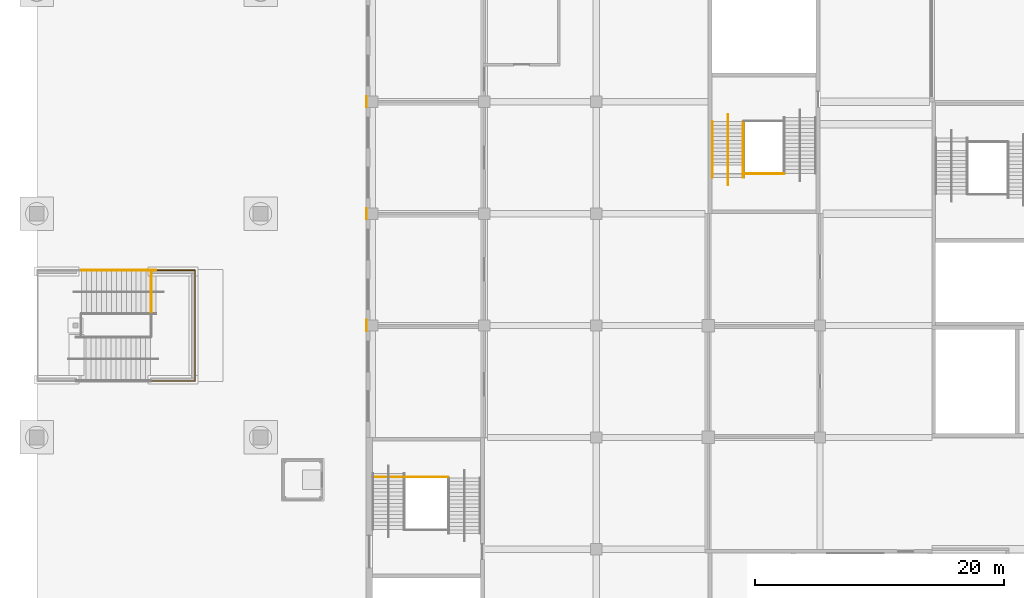
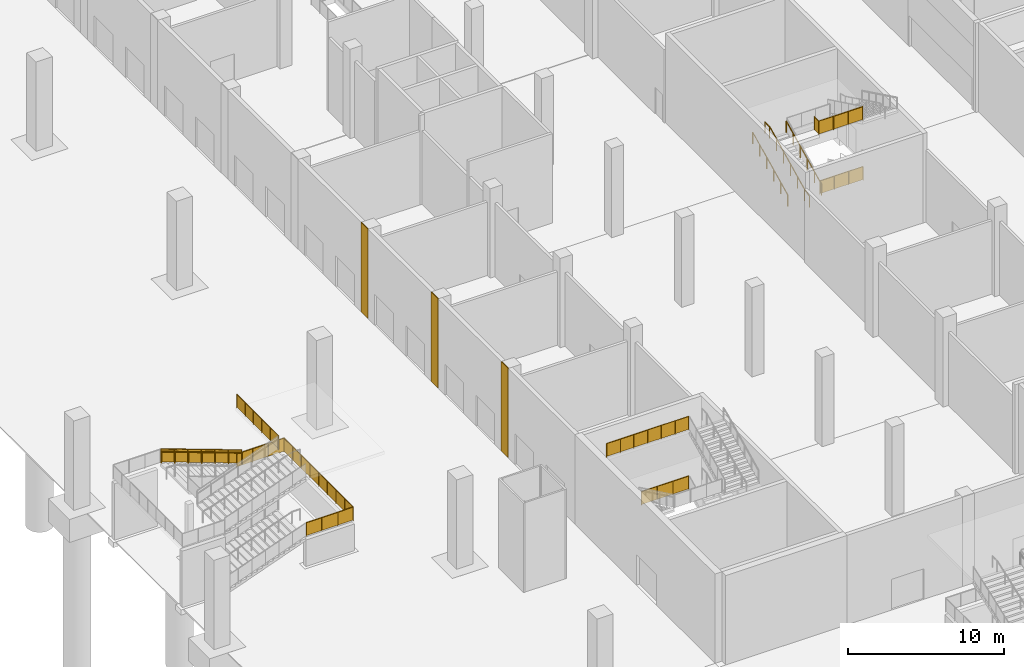
# One storey, part 55 of 92: 11 railings, 3 coverings.
"""IFC4 building model written with IfcOpenShell, lengths in metres."""

from ifc_helpers import new_model, si_unit, direction, frame, origin, origin_2d, place, context, subcontext, project, spatial, polyline, circle, outline, extrude, material, layer, layer_set, type_object, element, save


model = new_model("IFC4")

# Units and contexts
model_context = context("Model", 3, precision=1e-05, world=origin(), true_north=direction((0.0, 1.0)))
body_context = subcontext(model_context, "Body", "Model", "MODEL_VIEW")
ifc_project = project(units=[si_unit("LENGTHUNIT", "METRE"), si_unit("AREAUNIT", "SQUARE_METRE"), si_unit("VOLUMEUNIT", "CUBIC_METRE"), si_unit("PLANEANGLEUNIT", "RADIAN"), si_unit("MASSUNIT", "GRAM", prefix="KILO")], contexts=[model_context])

# Site, building, storey
site_placement = place(None, origin())
site = spatial("IfcSite", under=ifc_project, at=site_placement, CompositionType="ELEMENT")
building_placement = place(site_placement, origin())
building = spatial("IfcBuilding", under=site, at=building_placement, Name="Silverbay Arena", CompositionType="ELEMENT")
storey_placement = place(building_placement, origin())
storey = spatial("IfcBuildingStorey", under=building, at=storey_placement, Name="L00", CompositionType="ELEMENT", Elevation=0.0)

# Coverings
ifc_material_1 = material(Name="Aluminium composite cladding", Category="aluminium")
ifc_layer = layer(ifc_material_1, 0.050048828125)
ifc_layer_set = layer_set([ifc_layer], Name="Aluminium composite cladding")
covering_type = type_object("IfcCoveringType", Name="Column cladding 50", PredefinedType="CLADDING", material=ifc_layer_set)
covering_1_placement = place(storey_placement, origin())
element("IfcCovering", 1, at=covering_1_placement, inside=storey, type_object=covering_type, Name="West column cladding L00 29", PredefinedType="CLADDING", context=body_context, shape_type="SweptSolid", body=[
    extrude(outline(polyline([(26.5, 44.550048828125), (26.550048828125, 44.550048828125), (26.550048828125, 45.449951171875), (26.5, 45.449951171875), (26.5, 44.550048828125)])), origin(), (0.0, 0.0, 1.0), 7.0),
])
covering_2_placement = place(storey_placement, origin())
element("IfcCovering", 2, at=covering_2_placement, inside=storey, type_object=covering_type, Name="West column cladding L00 30", PredefinedType="CLADDING", context=body_context, shape_type="SweptSolid", body=[
    extrude(outline(polyline([(26.5, 53.550048828125), (26.550048828125, 53.550048828125), (26.550048828125, 54.449951171875), (26.5, 54.449951171875), (26.5, 53.550048828125)])), origin(), (0.0, 0.0, 1.0), 7.0),
])
covering_3_placement = place(storey_placement, origin())
element("IfcCovering", 3, at=covering_3_placement, inside=storey, type_object=covering_type, Name="West column cladding L00 31", PredefinedType="CLADDING", context=body_context, shape_type="SweptSolid", body=[
    extrude(outline(polyline([(26.5, 62.550048828125), (26.550048828125, 62.550048828125), (26.550048828125, 63.449951171875), (26.5, 63.449951171875), (26.5, 62.550048828125)])), origin(), (0.0, 0.0, 1.0), 7.0),
])

# Railings
ifc_material_2 = material(Name="Stainless steel", Category="steel")
railing_type_1 = type_object("IfcRailingType", Name="Stair guard 1100", PredefinedType="GUARDRAIL", material=ifc_material_2)
railing_1_placement = place(storey_placement, frame((60.10009765625, 57.193115234375, 2.333251953125)))
element("IfcRailing", 4, at=railing_1_placement, inside=storey, type_object=railing_type_1, Name="Stair ST-W1 L00 to L01 landing 1 guard", PredefinedType="GUARDRAIL", context=body_context, shape_type="SweptSolid", body=[
    extrude(circle(Radius=0.02392578125, at=origin_2d()), frame((0.0, 0.0, 1.076171875), z_axis=(-1.0, 0.0, 0.0), x_axis=(0.0, -1.0, 0.0)), (0.0, 0.0, 1.0), 3.2001953125),
    extrude(outline(polyline([(-0.008056640625, 0.050048828125), (1.07470703125, 0.050048828125), (1.07470703125, 1.052978515625), (-0.008056640625, 1.052978515625), (-0.008056640625, 0.050048828125)])), frame((0.0, -0.0029296875, 0.0), z_axis=(0.0, 1.0, 0.0), x_axis=(-1.0, 0.0, 0.0)), (0.0, 0.0, 1.0), 0.006103515625),
    extrude(outline(polyline([(-0.008056640625, 0.050048828125), (1.07470703125, 0.050048828125), (1.07470703125, 1.052978515625), (-0.008056640625, 1.052978515625), (-0.008056640625, 0.050048828125)])), frame((-1.066650390625, -0.0029296875, 0.0), z_axis=(0.0, 1.0, 0.0), x_axis=(-1.0, 0.0, 0.0)), (0.0, 0.0, 1.0), 0.006103515625),
    extrude(outline(polyline([(-0.008056640625, 0.050048828125), (1.07470703125, 0.050048828125), (1.07470703125, 1.052978515625), (-0.008056640625, 1.052978515625), (-0.008056640625, 0.050048828125)])), frame((-2.133544921875, -0.0029296875, 0.0), z_axis=(0.0, 1.0, 0.0), x_axis=(-1.0, 0.0, 0.0)), (0.0, 0.0, 1.0), 0.006103515625),
    extrude(circle(Radius=0.02099609375, at=origin_2d()), origin(), (0.0, 0.0, 1.0), 1.052001953125),
    extrude(circle(Radius=0.02099609375, at=origin_2d()), frame((-1.066650390625, 0.0, 0.0)), (0.0, 0.0, 1.0), 1.052001953125),
    extrude(circle(Radius=0.02099609375, at=origin_2d()), frame((-2.133544921875, 0.0, 0.0)), (0.0, 0.0, 1.0), 1.052001953125),
    extrude(circle(Radius=0.02099609375, at=origin_2d()), frame((-3.2001953125, 0.0, 0.0)), (0.0, 0.0, 1.0), 1.052001953125),
])
railing_2_placement = place(storey_placement, frame((56.85009765625, 57.85009765625, 7.0)))
element("IfcRailing", 5, at=railing_2_placement, inside=storey, type_object=railing_type_1, Name="Stair ST-W1 L00 to L01 landing 3 guard", PredefinedType="GUARDRAIL", context=body_context, shape_type="SweptSolid", body=[
    extrude(circle(Radius=0.02392578125, at=origin_2d()), frame((0.0, 0.0, 1.076171875), z_axis=(0.0, -1.0, 0.0), x_axis=(1.0, 0.0, 0.0)), (0.0, 0.0, 1.0), 0.60693359375),
    extrude(outline(polyline([(-0.008056640625, 0.050048828125), (0.614990234375, 0.050048828125), (0.614990234375, 1.052978515625), (-0.008056640625, 1.052978515625), (-0.008056640625, 0.050048828125)])), frame((0.0029296875, 0.0, 0.0), z_axis=(-1.0, 0.0, 0.0), x_axis=(0.0, -1.0, 0.0)), (0.0, 0.0, 1.0), 0.006103515625),
    extrude(circle(Radius=0.02392578125, at=origin_2d()), frame((0.0, -0.60693359375, 1.076171875), z_axis=(1.0, 0.0, 0.0), x_axis=(0.0, 1.0, 0.0)), (0.0, 0.0, 1.0), 3.25),
    extrude(outline(polyline([(-0.008056640625, 0.050048828125), (1.09130859375, 0.050048828125), (1.09130859375, 1.052978515625), (-0.008056640625, 1.052978515625), (-0.008056640625, 0.050048828125)])), frame((0.0, -0.60400390625, 0.0), z_axis=(0.0, -1.0, 0.0), x_axis=(1.0, 0.0, 0.0)), (0.0, 0.0, 1.0), 0.006103515625),
    extrude(outline(polyline([(-0.008056640625, 0.050048828125), (1.09130859375, 0.050048828125), (1.09130859375, 1.052978515625), (-0.008056640625, 1.052978515625), (-0.008056640625, 0.050048828125)])), frame((1.083251953125, -0.60400390625, 0.0), z_axis=(0.0, -1.0, 0.0), x_axis=(1.0, 0.0, 0.0)), (0.0, 0.0, 1.0), 0.006103515625),
    extrude(outline(polyline([(-0.008056640625, 0.050048828125), (1.09130859375, 0.050048828125), (1.09130859375, 1.052978515625), (-0.008056640625, 1.052978515625), (-0.008056640625, 0.050048828125)])), frame((2.166748046875, -0.60400390625, 0.0), z_axis=(0.0, -1.0, 0.0), x_axis=(1.0, 0.0, 0.0)), (0.0, 0.0, 1.0), 0.006103515625),
    extrude(circle(Radius=0.02099609375, at=origin_2d()), origin(), (0.0, 0.0, 1.0), 1.052001953125),
    extrude(circle(Radius=0.02099609375, at=origin_2d()), frame((0.0, -0.60693359375, 0.0)), (0.0, 0.0, 1.0), 1.052001953125),
    extrude(circle(Radius=0.02099609375, at=origin_2d()), frame((1.083251953125, -0.60693359375, 0.0)), (0.0, 0.0, 1.0), 1.052001953125),
    extrude(circle(Radius=0.02099609375, at=origin_2d()), frame((2.166748046875, -0.60693359375, 0.0)), (0.0, 0.0, 1.0), 1.052001953125),
    extrude(circle(Radius=0.02099609375, at=origin_2d()), frame((3.25, -0.60693359375, 0.0)), (0.0, 0.0, 1.0), 1.052001953125),
])
railing_3_placement = place(storey_placement, frame((33.10009765625, 32.806884765625, 2.333251953125)))
element("IfcRailing", 6, at=railing_3_placement, inside=storey, type_object=railing_type_1, Name="Stair ST-WG1 L00 to L01 landing 1 guard", PredefinedType="GUARDRAIL", context=body_context, shape_type="SweptSolid", body=[
    extrude(circle(Radius=0.02392578125, at=origin_2d()), frame((0.0, 0.0, 1.076171875), z_axis=(-1.0, 0.0, 0.0), x_axis=(0.0, -1.0, 0.0)), (0.0, 0.0, 1.0), 3.5),
    extrude(outline(polyline([(-0.008056640625, 0.050048828125), (1.174560546875, 0.050048828125), (1.174560546875, 1.052978515625), (-0.008056640625, 1.052978515625), (-0.008056640625, 0.050048828125)])), frame((0.0, -0.0029296875, 0.0), z_axis=(0.0, 1.0, 0.0), x_axis=(-1.0, 0.0, 0.0)), (0.0, 0.0, 1.0), 0.006103515625),
    extrude(outline(polyline([(-0.008056640625, 0.050048828125), (1.174560546875, 0.050048828125), (1.174560546875, 1.052978515625), (-0.008056640625, 1.052978515625), (-0.008056640625, 0.050048828125)])), frame((-1.166748046875, -0.0029296875, 0.0), z_axis=(0.0, 1.0, 0.0), x_axis=(-1.0, 0.0, 0.0)), (0.0, 0.0, 1.0), 0.006103515625),
    extrude(outline(polyline([(-0.008056640625, 0.050048828125), (1.174560546875, 0.050048828125), (1.174560546875, 1.052978515625), (-0.008056640625, 1.052978515625), (-0.008056640625, 0.050048828125)])), frame((-2.333251953125, -0.0029296875, 0.0), z_axis=(0.0, 1.0, 0.0), x_axis=(-1.0, 0.0, 0.0)), (0.0, 0.0, 1.0), 0.006103515625),
    extrude(circle(Radius=0.02099609375, at=origin_2d()), origin(), (0.0, 0.0, 1.0), 1.052001953125),
    extrude(circle(Radius=0.02099609375, at=origin_2d()), frame((-1.166748046875, 0.0, 0.0)), (0.0, 0.0, 1.0), 1.052001953125),
    extrude(circle(Radius=0.02099609375, at=origin_2d()), frame((-2.333251953125, 0.0, 0.0)), (0.0, 0.0, 1.0), 1.052001953125),
    extrude(circle(Radius=0.02099609375, at=origin_2d()), frame((-3.5, 0.0, 0.0)), (0.0, 0.0, 1.0), 1.052001953125),
])
railing_4_placement = place(storey_placement, frame((33.10009765625, 32.806884765625, 7.0)))
element("IfcRailing", 7, at=railing_4_placement, inside=storey, type_object=railing_type_1, Name="Stair ST-WG1 L00 to L01 landing 3 guard", PredefinedType="GUARDRAIL", context=body_context, shape_type="SweptSolid", body=[
    extrude(circle(Radius=0.02392578125, at=origin_2d()), frame((0.0, 0.0, 1.076171875), z_axis=(-1.0, 0.0, 0.0), x_axis=(0.0, -1.0, 0.0)), (0.0, 0.0, 1.0), 6.10009765625),
    extrude(outline(polyline([(-0.008056640625, 0.050048828125), (1.024658203125, 0.050048828125), (1.024658203125, 1.052978515625), (-0.008056640625, 1.052978515625), (-0.008056640625, 0.050048828125)])), frame((0.0, -0.0029296875, 0.0), z_axis=(0.0, 1.0, 0.0), x_axis=(-1.0, 0.0, 0.0)), (0.0, 0.0, 1.0), 0.006103515625),
    extrude(outline(polyline([(-0.008056640625, 0.050048828125), (1.024658203125, 0.050048828125), (1.024658203125, 1.052978515625), (-0.008056640625, 1.052978515625), (-0.008056640625, 0.050048828125)])), frame((-1.0166015625, -0.0029296875, 0.0), z_axis=(0.0, 1.0, 0.0), x_axis=(-1.0, 0.0, 0.0)), (0.0, 0.0, 1.0), 0.006103515625),
    extrude(outline(polyline([(-0.008056640625, 0.050048828125), (1.024658203125, 0.050048828125), (1.024658203125, 1.052978515625), (-0.008056640625, 1.052978515625), (-0.008056640625, 0.050048828125)])), frame((-2.033447265625, -0.0029296875, 0.0), z_axis=(0.0, 1.0, 0.0), x_axis=(-1.0, 0.0, 0.0)), (0.0, 0.0, 1.0), 0.006103515625),
    extrude(outline(polyline([(-0.008056640625, 0.050048828125), (1.024658203125, 0.050048828125), (1.024658203125, 1.052978515625), (-0.008056640625, 1.052978515625), (-0.008056640625, 0.050048828125)])), frame((-3.050048828125, -0.0029296875, 0.0), z_axis=(0.0, 1.0, 0.0), x_axis=(-1.0, 0.0, 0.0)), (0.0, 0.0, 1.0), 0.006103515625),
    extrude(outline(polyline([(-0.008056640625, 0.050048828125), (1.024658203125, 0.050048828125), (1.024658203125, 1.052978515625), (-0.008056640625, 1.052978515625), (-0.008056640625, 0.050048828125)])), frame((-4.066650390625, -0.0029296875, 0.0), z_axis=(0.0, 1.0, 0.0), x_axis=(-1.0, 0.0, 0.0)), (0.0, 0.0, 1.0), 0.006103515625),
    extrude(outline(polyline([(-0.008056640625, 0.050048828125), (1.024658203125, 0.050048828125), (1.024658203125, 1.052978515625), (-0.008056640625, 1.052978515625), (-0.008056640625, 0.050048828125)])), frame((-5.08349609375, -0.0029296875, 0.0), z_axis=(0.0, 1.0, 0.0), x_axis=(-1.0, 0.0, 0.0)), (0.0, 0.0, 1.0), 0.006103515625),
    extrude(circle(Radius=0.02099609375, at=origin_2d()), origin(), (0.0, 0.0, 1.0), 1.052001953125),
    extrude(circle(Radius=0.02099609375, at=origin_2d()), frame((-1.0166015625, 0.0, 0.0)), (0.0, 0.0, 1.0), 1.052001953125),
    extrude(circle(Radius=0.02099609375, at=origin_2d()), frame((-2.033447265625, 0.0, 0.0)), (0.0, 0.0, 1.0), 1.052001953125),
    extrude(circle(Radius=0.02099609375, at=origin_2d()), frame((-3.050048828125, 0.0, 0.0)), (0.0, 0.0, 1.0), 1.052001953125),
    extrude(circle(Radius=0.02099609375, at=origin_2d()), frame((-4.066650390625, 0.0, 0.0)), (0.0, 0.0, 1.0), 1.052001953125),
    extrude(circle(Radius=0.02099609375, at=origin_2d()), frame((-5.08349609375, 0.0, 0.0)), (0.0, 0.0, 1.0), 1.052001953125),
    extrude(circle(Radius=0.02099609375, at=origin_2d()), frame((-6.10009765625, 0.0, 0.0)), (0.0, 0.0, 1.0), 1.052001953125),
])
railing_5_placement = place(storey_placement, frame((9.60009765625, 49.47509765625, 2.479248046875)))
element("IfcRailing", 8, at=railing_5_placement, inside=storey, type_object=railing_type_1, Name="Deck stair DS1 flight 2 guard right", PredefinedType="GUARDRAIL", context=body_context, shape_type="SweptSolid", body=[
    extrude(circle(Radius=0.02392578125, at=origin_2d()), frame((0.0, 0.0, 1.076171875), z_axis=(-0.939507356738, 0.0, 0.342528723811), x_axis=(0.0, -1.0, 0.0)), (0.0, 0.0, 1.0), 6.38623046875),
    extrude(outline(polyline([(-0.008056640625, 0.047119140625), (1.008056640625, 0.41748046875), (1.008056640625, 1.42041015625), (-0.008056640625, 1.050048828125), (-0.008056640625, 0.047119140625)])), frame((0.0, -0.0029296875, 0.0), z_axis=(0.0, 1.0, 0.0), x_axis=(-1.0, 0.0, 0.0)), (0.0, 0.0, 1.0), 0.006103515625),
    extrude(outline(polyline([(-0.008056640625, 0.41162109375), (1.008056640625, 0.781982421875), (1.008056640625, 1.78515625), (-0.008056640625, 1.41455078125), (-0.008056640625, 0.41162109375)])), frame((-1.0, -0.0029296875, 0.0), z_axis=(0.0, 1.0, 0.0), x_axis=(-1.0, 0.0, 0.0)), (0.0, 0.0, 1.0), 0.006103515625),
    extrude(outline(polyline([(-0.008056640625, 0.7763671875), (1.008056640625, 1.146728515625), (1.008056640625, 2.149658203125), (-0.008056640625, 1.779296875), (-0.008056640625, 0.7763671875)])), frame((-2.0, -0.0029296875, 0.0), z_axis=(0.0, 1.0, 0.0), x_axis=(-1.0, 0.0, 0.0)), (0.0, 0.0, 1.0), 0.006103515625),
    extrude(outline(polyline([(-0.008056640625, 1.140869140625), (1.008056640625, 1.51123046875), (1.008056640625, 2.51416015625), (-0.008056640625, 2.143798828125), (-0.008056640625, 1.140869140625)])), frame((-3.0, -0.0029296875, 0.0), z_axis=(0.0, 1.0, 0.0), x_axis=(-1.0, 0.0, 0.0)), (0.0, 0.0, 1.0), 0.006103515625),
    extrude(outline(polyline([(-0.008056640625, 1.50537109375), (1.008056640625, 1.875732421875), (1.008056640625, 2.87890625), (-0.008056640625, 2.50830078125), (-0.008056640625, 1.50537109375)])), frame((-4.0, -0.0029296875, 0.0), z_axis=(0.0, 1.0, 0.0), x_axis=(-1.0, 0.0, 0.0)), (0.0, 0.0, 1.0), 0.006103515625),
    extrude(outline(polyline([(-0.008056640625, 1.8701171875), (1.008056640625, 2.240478515625), (1.008056640625, 3.243408203125), (-0.008056640625, 2.873046875), (-0.008056640625, 1.8701171875)])), frame((-5.0, -0.0029296875, 0.0), z_axis=(0.0, 1.0, 0.0), x_axis=(-1.0, 0.0, 0.0)), (0.0, 0.0, 1.0), 0.006103515625),
    extrude(circle(Radius=0.02099609375, at=origin_2d()), origin(), (0.0, 0.0, 1.0), 1.052001953125),
    extrude(circle(Radius=0.02099609375, at=origin_2d()), frame((-1.0, 0.0, 0.364501953125)), (0.0, 0.0, 1.0), 1.052001953125),
    extrude(circle(Radius=0.02099609375, at=origin_2d()), frame((-2.0, 0.0, 0.729248046875)), (0.0, 0.0, 1.0), 1.052001953125),
    extrude(circle(Radius=0.02099609375, at=origin_2d()), frame((-3.0, 0.0, 1.09375)), (0.0, 0.0, 1.0), 1.052001953125),
    extrude(circle(Radius=0.02099609375, at=origin_2d()), frame((-4.0, 0.0, 1.458251953125)), (0.0, 0.0, 1.0), 1.052001953125),
    extrude(circle(Radius=0.02099609375, at=origin_2d()), frame((-5.0, 0.0, 1.822998046875)), (0.0, 0.0, 1.0), 1.052001953125),
    extrude(circle(Radius=0.02099609375, at=origin_2d()), frame((-6.0, 0.0, 2.1875)), (0.0, 0.0, 1.0), 1.052001953125),
])
railing_6_placement = place(storey_placement, frame((9.212158203125, 40.550048828125, 2.333251953125)))
element("IfcRailing", 9, at=railing_6_placement, inside=storey, type_object=railing_type_1, Name="Deck stair DS1 landing 1 guard", PredefinedType="GUARDRAIL", context=body_context, shape_type="SweptSolid", body=[
    extrude(circle(Radius=0.02392578125, at=origin_2d()), frame((0.0, 0.0, 1.076171875), z_axis=(1.0, 0.0, 0.0), x_axis=(0.0, 1.0, 0.0)), (0.0, 0.0, 1.0), 3.5),
    extrude(outline(polyline([(-0.008056640625, 0.050048828125), (1.174560546875, 0.050048828125), (1.174560546875, 1.052978515625), (-0.008056640625, 1.052978515625), (-0.008056640625, 0.050048828125)])), frame((0.0, 0.0029296875, 0.0), z_axis=(0.0, -1.0, 0.0), x_axis=(1.0, 0.0, 0.0)), (0.0, 0.0, 1.0), 0.006103515625),
    extrude(outline(polyline([(-0.008056640625, 0.050048828125), (1.174560546875, 0.050048828125), (1.174560546875, 1.052978515625), (-0.008056640625, 1.052978515625), (-0.008056640625, 0.050048828125)])), frame((1.166748046875, 0.0029296875, 0.0), z_axis=(0.0, -1.0, 0.0), x_axis=(1.0, 0.0, 0.0)), (0.0, 0.0, 1.0), 0.006103515625),
    extrude(outline(polyline([(-0.008056640625, 0.050048828125), (1.174560546875, 0.050048828125), (1.174560546875, 1.052978515625), (-0.008056640625, 1.052978515625), (-0.008056640625, 0.050048828125)])), frame((2.333251953125, 0.0029296875, 0.0), z_axis=(0.0, -1.0, 0.0), x_axis=(1.0, 0.0, 0.0)), (0.0, 0.0, 1.0), 0.006103515625),
    extrude(circle(Radius=0.02392578125, at=origin_2d()), frame((3.5, 0.0, 1.076171875), z_axis=(0.0, 1.0, 0.0), x_axis=(-1.0, 0.0, 0.0)), (0.0, 0.0, 1.0), 8.89990234375),
    extrude(outline(polyline([(-0.008056640625, 0.050048828125), (1.12060546875, 0.050048828125), (1.12060546875, 1.052978515625), (-0.008056640625, 1.052978515625), (-0.008056640625, 0.050048828125)])), frame((3.4970703125, 0.0, 0.0), z_axis=(1.0, 0.0, 0.0), x_axis=(0.0, 1.0, 0.0)), (0.0, 0.0, 1.0), 0.006103515625),
    extrude(outline(polyline([(-0.008056640625, 0.050048828125), (1.12060546875, 0.050048828125), (1.12060546875, 1.052978515625), (-0.008056640625, 1.052978515625), (-0.008056640625, 0.050048828125)])), frame((3.4970703125, 1.112548828125, 0.0), z_axis=(1.0, 0.0, 0.0), x_axis=(0.0, 1.0, 0.0)), (0.0, 0.0, 1.0), 0.006103515625),
    extrude(outline(polyline([(-0.008056640625, 0.050048828125), (1.12060546875, 0.050048828125), (1.12060546875, 1.052978515625), (-0.008056640625, 1.052978515625), (-0.008056640625, 0.050048828125)])), frame((3.4970703125, 2.22509765625, 0.0), z_axis=(1.0, 0.0, 0.0), x_axis=(0.0, 1.0, 0.0)), (0.0, 0.0, 1.0), 0.006103515625),
    extrude(outline(polyline([(-0.008056640625, 0.050048828125), (1.12060546875, 0.050048828125), (1.12060546875, 1.052978515625), (-0.008056640625, 1.052978515625), (-0.008056640625, 0.050048828125)])), frame((3.4970703125, 3.33740234375, 0.0), z_axis=(1.0, 0.0, 0.0), x_axis=(0.0, 1.0, 0.0)), (0.0, 0.0, 1.0), 0.006103515625),
    extrude(outline(polyline([(-0.008056640625, 0.050048828125), (1.12060546875, 0.050048828125), (1.12060546875, 1.052978515625), (-0.008056640625, 1.052978515625), (-0.008056640625, 0.050048828125)])), frame((3.4970703125, 4.449951171875, 0.0), z_axis=(1.0, 0.0, 0.0), x_axis=(0.0, 1.0, 0.0)), (0.0, 0.0, 1.0), 0.006103515625),
    extrude(outline(polyline([(-0.008056640625, 0.050048828125), (1.12060546875, 0.050048828125), (1.12060546875, 1.052978515625), (-0.008056640625, 1.052978515625), (-0.008056640625, 0.050048828125)])), frame((3.4970703125, 5.5625, 0.0), z_axis=(1.0, 0.0, 0.0), x_axis=(0.0, 1.0, 0.0)), (0.0, 0.0, 1.0), 0.006103515625),
    extrude(outline(polyline([(-0.008056640625, 0.050048828125), (1.12060546875, 0.050048828125), (1.12060546875, 1.052978515625), (-0.008056640625, 1.052978515625), (-0.008056640625, 0.050048828125)])), frame((3.4970703125, 6.6748046875, 0.0), z_axis=(1.0, 0.0, 0.0), x_axis=(0.0, 1.0, 0.0)), (0.0, 0.0, 1.0), 0.006103515625),
    extrude(outline(polyline([(-0.008056640625, 0.050048828125), (1.12060546875, 0.050048828125), (1.12060546875, 1.052978515625), (-0.008056640625, 1.052978515625), (-0.008056640625, 0.050048828125)])), frame((3.4970703125, 7.787353515625, 0.0), z_axis=(1.0, 0.0, 0.0), x_axis=(0.0, 1.0, 0.0)), (0.0, 0.0, 1.0), 0.006103515625),
    extrude(circle(Radius=0.02392578125, at=origin_2d()), frame((3.5, 8.89990234375, 1.076171875), z_axis=(-1.0, 0.0, 0.0), x_axis=(0.0, -1.0, 0.0)), (0.0, 0.0, 1.0), 3.5),
    extrude(outline(polyline([(-0.008056640625, 0.050048828125), (1.174560546875, 0.050048828125), (1.174560546875, 1.052978515625), (-0.008056640625, 1.052978515625), (-0.008056640625, 0.050048828125)])), frame((3.5, 8.89697265625, 0.0), z_axis=(0.0, 1.0, 0.0), x_axis=(-1.0, 0.0, 0.0)), (0.0, 0.0, 1.0), 0.006103515625),
    extrude(outline(polyline([(-0.008056640625, 0.050048828125), (1.174560546875, 0.050048828125), (1.174560546875, 1.052978515625), (-0.008056640625, 1.052978515625), (-0.008056640625, 0.050048828125)])), frame((2.333251953125, 8.89697265625, 0.0), z_axis=(0.0, 1.0, 0.0), x_axis=(-1.0, 0.0, 0.0)), (0.0, 0.0, 1.0), 0.006103515625),
    extrude(outline(polyline([(-0.008056640625, 0.050048828125), (1.174560546875, 0.050048828125), (1.174560546875, 1.052978515625), (-0.008056640625, 1.052978515625), (-0.008056640625, 0.050048828125)])), frame((1.166748046875, 8.89697265625, 0.0), z_axis=(0.0, 1.0, 0.0), x_axis=(-1.0, 0.0, 0.0)), (0.0, 0.0, 1.0), 0.006103515625),
    extrude(circle(Radius=0.02099609375, at=origin_2d()), origin(), (0.0, 0.0, 1.0), 1.052001953125),
    extrude(circle(Radius=0.02099609375, at=origin_2d()), frame((1.166748046875, 0.0, 0.0)), (0.0, 0.0, 1.0), 1.052001953125),
    extrude(circle(Radius=0.02099609375, at=origin_2d()), frame((2.333251953125, 0.0, 0.0)), (0.0, 0.0, 1.0), 1.052001953125),
    extrude(circle(Radius=0.02099609375, at=origin_2d()), frame((3.5, 0.0, 0.0)), (0.0, 0.0, 1.0), 1.052001953125),
    extrude(circle(Radius=0.02099609375, at=origin_2d()), frame((3.5, 1.112548828125, 0.0)), (0.0, 0.0, 1.0), 1.052001953125),
    extrude(circle(Radius=0.02099609375, at=origin_2d()), frame((3.5, 2.22509765625, 0.0)), (0.0, 0.0, 1.0), 1.052001953125),
    extrude(circle(Radius=0.02099609375, at=origin_2d()), frame((3.5, 3.33740234375, 0.0)), (0.0, 0.0, 1.0), 1.052001953125),
    extrude(circle(Radius=0.02099609375, at=origin_2d()), frame((3.5, 4.449951171875, 0.0)), (0.0, 0.0, 1.0), 1.052001953125),
    extrude(circle(Radius=0.02099609375, at=origin_2d()), frame((3.5, 5.5625, 0.0)), (0.0, 0.0, 1.0), 1.052001953125),
    extrude(circle(Radius=0.02099609375, at=origin_2d()), frame((3.5, 6.6748046875, 0.0)), (0.0, 0.0, 1.0), 1.052001953125),
    extrude(circle(Radius=0.02099609375, at=origin_2d()), frame((3.5, 7.787353515625, 0.0)), (0.0, 0.0, 1.0), 1.052001953125),
    extrude(circle(Radius=0.02099609375, at=origin_2d()), frame((3.5, 8.89990234375, 0.0)), (0.0, 0.0, 1.0), 1.052001953125),
    extrude(circle(Radius=0.02099609375, at=origin_2d()), frame((2.333251953125, 8.89990234375, 0.0)), (0.0, 0.0, 1.0), 1.052001953125),
    extrude(circle(Radius=0.02099609375, at=origin_2d()), frame((1.166748046875, 8.89990234375, 0.0)), (0.0, 0.0, 1.0), 1.052001953125),
    extrude(circle(Radius=0.02099609375, at=origin_2d()), frame((0.0, 8.89990234375, 0.0)), (0.0, 0.0, 1.0), 1.052001953125),
])
railing_7_placement = place(storey_placement, frame((9.212158203125, 44.10009765625, 7.0)))
element("IfcRailing", 10, at=railing_7_placement, inside=storey, type_object=railing_type_1, Name="Deck stair DS1 landing 3 guard", PredefinedType="GUARDRAIL", context=body_context, shape_type="SweptSolid", body=[
    extrude(circle(Radius=0.02392578125, at=origin_2d()), frame((0.0, 0.0, 1.076171875), z_axis=(0.0, 1.0, 0.0), x_axis=(-1.0, 0.0, 0.0)), (0.0, 0.0, 1.0), 5.349853515625),
    extrude(outline(polyline([(-0.008056640625, 0.050048828125), (1.077880859375, 0.050048828125), (1.077880859375, 1.052978515625), (-0.008056640625, 1.052978515625), (-0.008056640625, 0.050048828125)])), frame((-0.0029296875, 0.0, 0.0), z_axis=(1.0, 0.0, 0.0), x_axis=(0.0, 1.0, 0.0)), (0.0, 0.0, 1.0), 0.006103515625),
    extrude(outline(polyline([(-0.008056640625, 0.050048828125), (1.077880859375, 0.050048828125), (1.077880859375, 1.052978515625), (-0.008056640625, 1.052978515625), (-0.008056640625, 0.050048828125)])), frame((-0.0029296875, 1.070068359375, 0.0), z_axis=(1.0, 0.0, 0.0), x_axis=(0.0, 1.0, 0.0)), (0.0, 0.0, 1.0), 0.006103515625),
    extrude(outline(polyline([(-0.008056640625, 0.050048828125), (1.077880859375, 0.050048828125), (1.077880859375, 1.052978515625), (-0.008056640625, 1.052978515625), (-0.008056640625, 0.050048828125)])), frame((-0.0029296875, 2.139892578125, 0.0), z_axis=(1.0, 0.0, 0.0), x_axis=(0.0, 1.0, 0.0)), (0.0, 0.0, 1.0), 0.006103515625),
    extrude(outline(polyline([(-0.008056640625, 0.050048828125), (1.077880859375, 0.050048828125), (1.077880859375, 1.052978515625), (-0.008056640625, 1.052978515625), (-0.008056640625, 0.050048828125)])), frame((-0.0029296875, 3.2099609375, 0.0), z_axis=(1.0, 0.0, 0.0), x_axis=(0.0, 1.0, 0.0)), (0.0, 0.0, 1.0), 0.006103515625),
    extrude(outline(polyline([(-0.008056640625, 0.050048828125), (1.077880859375, 0.050048828125), (1.077880859375, 1.052978515625), (-0.008056640625, 1.052978515625), (-0.008056640625, 0.050048828125)])), frame((-0.0029296875, 4.27978515625, 0.0), z_axis=(1.0, 0.0, 0.0), x_axis=(0.0, 1.0, 0.0)), (0.0, 0.0, 1.0), 0.006103515625),
    extrude(circle(Radius=0.02099609375, at=origin_2d()), origin(), (0.0, 0.0, 1.0), 1.052001953125),
    extrude(circle(Radius=0.02099609375, at=origin_2d()), frame((0.0, 1.070068359375, 0.0)), (0.0, 0.0, 1.0), 1.052001953125),
    extrude(circle(Radius=0.02099609375, at=origin_2d()), frame((0.0, 2.139892578125, 0.0)), (0.0, 0.0, 1.0), 1.052001953125),
    extrude(circle(Radius=0.02099609375, at=origin_2d()), frame((0.0, 3.2099609375, 0.0)), (0.0, 0.0, 1.0), 1.052001953125),
    extrude(circle(Radius=0.02099609375, at=origin_2d()), frame((0.0, 4.27978515625, 0.0)), (0.0, 0.0, 1.0), 1.052001953125),
    extrude(circle(Radius=0.02099609375, at=origin_2d()), frame((0.0, 5.349853515625, 0.0)), (0.0, 0.0, 1.0), 1.052001953125),
])
ifc_material_3 = material(Name="Stainless steel", Category="steel")
railing_type_2 = type_object("IfcRailingType", Name="Stair handrail 900", PredefinedType="HANDRAIL", material=ifc_material_3)
for number, where, name in (
    (11, (56.8359375, 56.89990234375, 2.479248046875), "Stair ST-W1 L00 to L01 flight 2 handrail left"),
    (12, (54.35009765625, 56.89990234375, 2.479248046875), "Stair ST-W1 L00 to L01 flight 2 handrail right"),
):
    element("IfcRailing", number, at=place(storey_placement, frame(where)), inside=storey, type_object=railing_type_2, Name=name, PredefinedType="HANDRAIL", context=body_context, shape_type="SweptSolid", body=[
        extrude(circle(Radius=0.02392578125, at=origin_2d()), frame((0.0, 0.0, 0.8759765625), z_axis=(0.0, 0.899367854138, 0.437192706873), x_axis=(-1.0, 0.0, 0.0)), (0.0, 0.0, 1.0), 5.00341796875),
        extrude(circle(Radius=0.02099609375, at=origin_2d()), origin(), (0.0, 0.0, 1.0), 0.851806640625),
        extrude(circle(Radius=0.02099609375, at=origin_2d()), frame((0.0, 0.89990234375, 0.4375)), (0.0, 0.0, 1.0), 0.851806640625),
        extrude(circle(Radius=0.02099609375, at=origin_2d()), frame((0.0, 1.800048828125, 0.875)), (0.0, 0.0, 1.0), 0.851806640625),
        extrude(circle(Radius=0.02099609375, at=origin_2d()), frame((0.0, 2.699951171875, 1.3125)), (0.0, 0.0, 1.0), 0.851806640625),
        extrude(circle(Radius=0.02099609375, at=origin_2d()), frame((0.0, 3.60009765625, 1.75)), (0.0, 0.0, 1.0), 0.851806640625),
        extrude(circle(Radius=0.02099609375, at=origin_2d()), frame((0.0, 4.5, 2.1875)), (0.0, 0.0, 1.0), 0.851806640625),
    ])
railing_8_placement = place(storey_placement, frame((55.60009765625, 56.300048828125, 2.333251953125)))
element("IfcRailing", 13, at=railing_8_placement, inside=storey, type_object=railing_type_2, Name="Stair ST-W1 L00 to L01 flight 2 central handrail", PredefinedType="HANDRAIL", context=body_context, shape_type="SweptSolid", body=[
    extrude(circle(Radius=0.02392578125, at=origin_2d()), frame((0.0, 0.0, 0.8759765625), z_axis=(0.0, 0.971635685089, 0.236482759334), x_axis=(-1.0, 0.0, 0.0)), (0.0, 0.0, 1.0), 0.617431640625),
    extrude(circle(Radius=0.02392578125, at=origin_2d()), frame((0.0, 0.599853515625, 1.02197265625), z_axis=(0.0, 0.899367854138, 0.437192706873), x_axis=(-1.0, 0.0, 0.0)), (0.0, 0.0, 1.0), 5.00341796875),
    extrude(circle(Radius=0.02392578125, at=origin_2d()), frame((0.0, 5.099853515625, 3.20947265625), z_axis=(0.0, 1.0, 0.0), x_axis=(-1.0, 0.0, 0.0)), (0.0, 0.0, 1.0), 0.60009765625),
    extrude(circle(Radius=0.02099609375, at=origin_2d()), origin(), (0.0, 0.0, 1.0), 0.851806640625),
    extrude(circle(Radius=0.02099609375, at=origin_2d()), frame((0.0, 0.599853515625, 0.14599609375)), (0.0, 0.0, 1.0), 0.851806640625),
    extrude(circle(Radius=0.02099609375, at=origin_2d()), frame((0.0, 1.499755859375, 0.58349609375)), (0.0, 0.0, 1.0), 0.851806640625),
    extrude(circle(Radius=0.02099609375, at=origin_2d()), frame((0.0, 2.39990234375, 1.02099609375)), (0.0, 0.0, 1.0), 0.851806640625),
    extrude(circle(Radius=0.02099609375, at=origin_2d()), frame((0.0, 3.2998046875, 1.45849609375)), (0.0, 0.0, 1.0), 0.851806640625),
    extrude(circle(Radius=0.02099609375, at=origin_2d()), frame((0.0, 4.199951171875, 1.89599609375)), (0.0, 0.0, 1.0), 0.851806640625),
    extrude(circle(Radius=0.02099609375, at=origin_2d()), frame((0.0, 5.099853515625, 2.33349609375)), (0.0, 0.0, 1.0), 0.851806640625),
    extrude(circle(Radius=0.02099609375, at=origin_2d()), frame((0.0, 5.699951171875, 2.33349609375)), (0.0, 0.0, 1.0), 0.851806640625),
])
railing_9_placement = place(storey_placement, frame((9.60009765625, 49.43603515625, 2.479248046875)))
element("IfcRailing", 14, at=railing_9_placement, inside=storey, type_object=railing_type_2, Name="Deck stair DS1 flight 2 handrail right", PredefinedType="HANDRAIL", context=body_context, shape_type="SweptSolid", body=[
    extrude(circle(Radius=0.02392578125, at=origin_2d()), frame((0.0, 0.0, 0.8759765625), z_axis=(-0.939507356738, 0.0, 0.342528723811), x_axis=(0.0, -1.0, 0.0)), (0.0, 0.0, 1.0), 6.38623046875),
    extrude(circle(Radius=0.02099609375, at=origin_2d()), origin(), (0.0, 0.0, 1.0), 0.851806640625),
    extrude(circle(Radius=0.02099609375, at=origin_2d()), frame((-1.0, 0.0, 0.364501953125)), (0.0, 0.0, 1.0), 0.851806640625),
    extrude(circle(Radius=0.02099609375, at=origin_2d()), frame((-2.0, 0.0, 0.729248046875)), (0.0, 0.0, 1.0), 0.851806640625),
    extrude(circle(Radius=0.02099609375, at=origin_2d()), frame((-3.0, 0.0, 1.09375)), (0.0, 0.0, 1.0), 0.851806640625),
    extrude(circle(Radius=0.02099609375, at=origin_2d()), frame((-4.0, 0.0, 1.458251953125)), (0.0, 0.0, 1.0), 0.851806640625),
    extrude(circle(Radius=0.02099609375, at=origin_2d()), frame((-5.0, 0.0, 1.822998046875)), (0.0, 0.0, 1.0), 0.851806640625),
    extrude(circle(Radius=0.02099609375, at=origin_2d()), frame((-6.0, 0.0, 2.1875)), (0.0, 0.0, 1.0), 0.851806640625),
])

save(model, "model.ifc")
